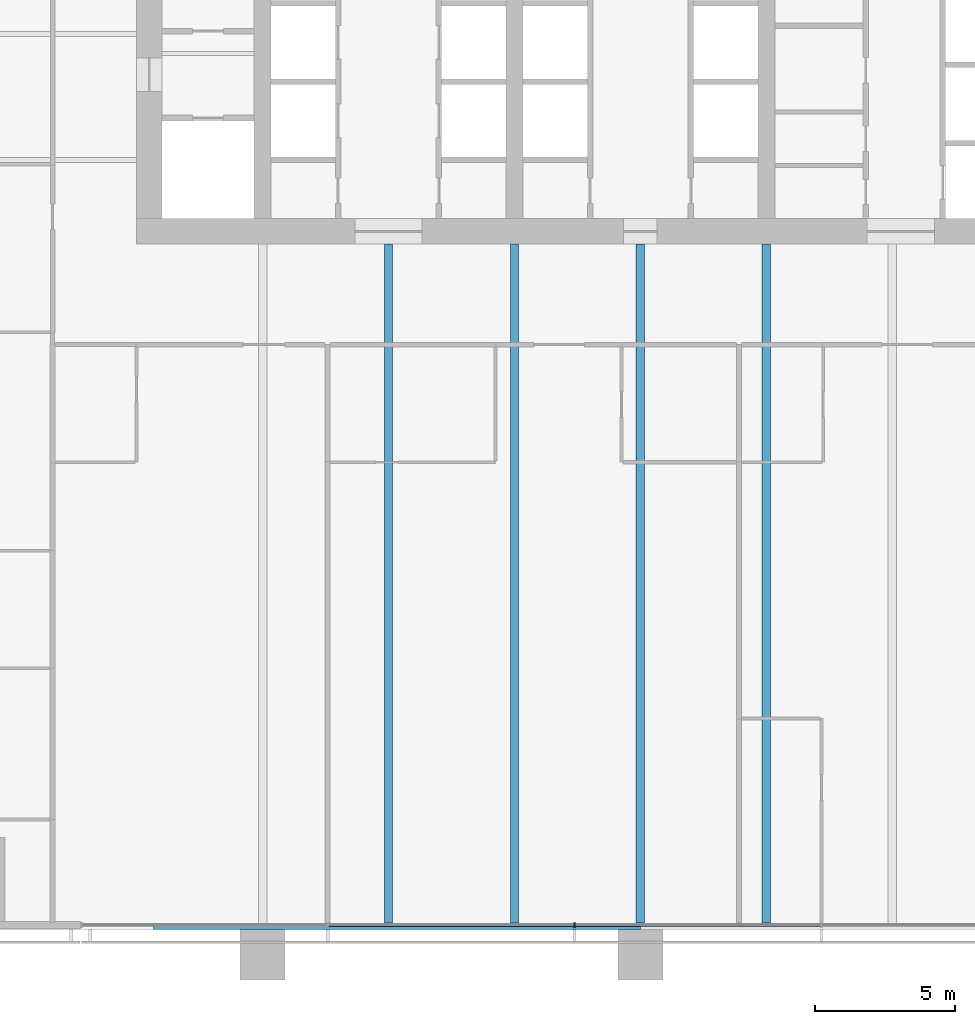
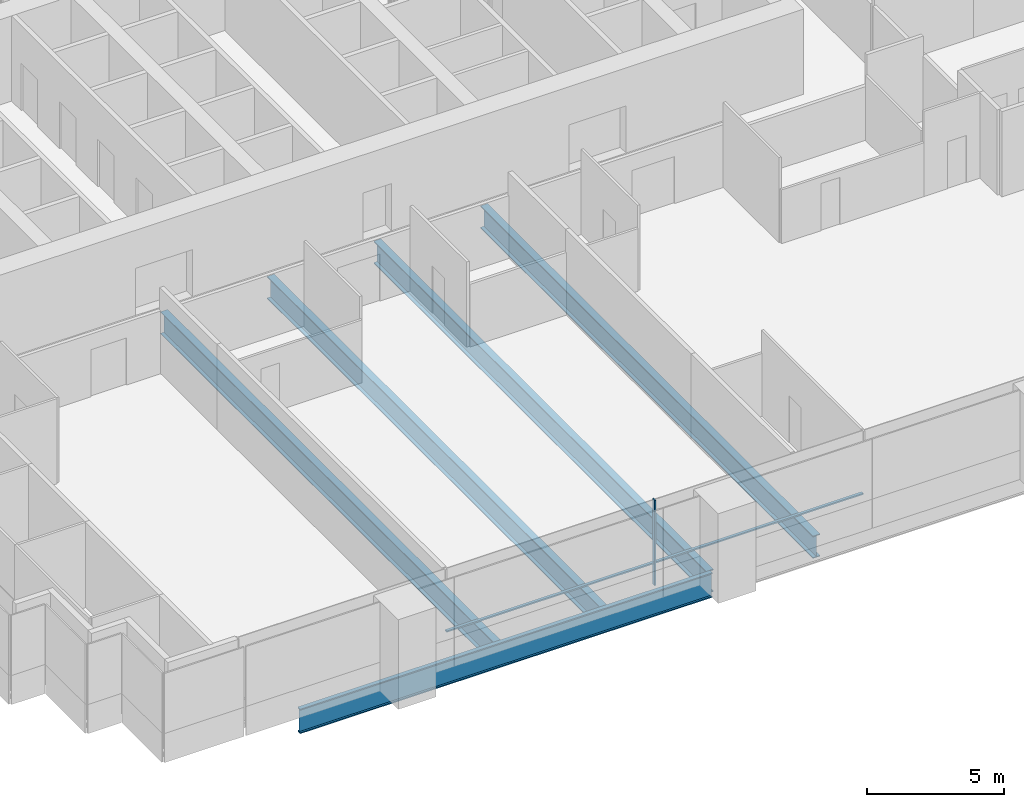
# One storey, part 3 of 19: 5 beams, 3 members, 1 element without a shape of its own.
"""IFC4 building model written with IfcOpenShell, lengths in metres."""

from ifc_helpers import new_model, si_unit, direction, frame, origin, origin_2d, place, context, subcontext, project, spatial, rectangle, i_section, extrude, material, material_profile, profile_set, type_object, element, aggregate, save


model = new_model("IFC4")

# Units and contexts
model_context = context("Model", 3, precision=1e-05, world=origin(), true_north=direction((0.0, 1.0)))
body_context = subcontext(model_context, "Body", "Model", "MODEL_VIEW")
ifc_project = project(units=[si_unit("LENGTHUNIT", "METRE"), si_unit("AREAUNIT", "SQUARE_METRE"), si_unit("VOLUMEUNIT", "CUBIC_METRE"), si_unit("PLANEANGLEUNIT", "RADIAN"), si_unit("MASSUNIT", "GRAM", prefix="KILO")], contexts=[model_context])

# Site, building, storey
site_placement = place(None, origin())
site = spatial("IfcSite", under=ifc_project, at=site_placement, CompositionType="ELEMENT")
building_placement = place(site_placement, origin())
building = spatial("IfcBuilding", under=site, at=building_placement, Name="Rattan Terrace Tower", CompositionType="ELEMENT")
storey_placement = place(building_placement, frame((0.0, 0.0, 87.699951171875)))
storey = spatial("IfcBuildingStorey", under=building, at=storey_placement, Name="L19", CompositionType="ELEMENT", Elevation=87.699951171875)

# Curtain wall, members
ifc_material_1 = material(Name="Aluminium and glass", Category="aluminium")
curtain_wall_type = type_object("IfcCurtainWallType", Name="Facade Unitised Curtain Wall", PredefinedType="NOTDEFINED", material=ifc_material_1)
curtain_wall_placement = place(storey_placement, origin())
curtain_wall = element("IfcCurtainWall", 1, at=curtain_wall_placement, inside=storey, type_object=curtain_wall_type, Name="Curtain wall L19-4", PredefinedType="NOTDEFINED")
ifc_material_2 = material(Name="Aluminium", Category="aluminium")
ifc_material_profile_1 = material_profile(ifc_material_2, rectangle(XDim=0.06005859375, YDim=0.159912109375, at=origin_2d()), Name="Aluminium 60x160")
ifc_profile_set_1 = profile_set([ifc_material_profile_1], Name="Aluminium")
member_type_1 = type_object("IfcMemberType", Name="Facade CW Mullion 60x160", PredefinedType="MULLION", material=ifc_profile_set_1)
member_1_placement = place(storey_placement, frame((-2.35400390625, -31.830078125, 0.0), z_axis=(0.0, 0.0, 1.0), x_axis=(1.0, 0.0, 0.0)))
member_1 = element("IfcMember", 2, at=member_1_placement, type_object=member_type_1, Name="Mullion cwl-L19-004.3", PredefinedType="MULLION", context=body_context, shape_type="SweptSolid", body=[
    extrude(rectangle(XDim=0.06005859375, YDim=0.159912109375, at=origin_2d()), origin(), (0.0, 0.0, 1.0), 3.800048828125),
])
ifc_material_3 = material(Name="Aluminium", Category="aluminium")
ifc_material_profile_2 = material_profile(ifc_material_3, rectangle(XDim=0.1201171875, YDim=0.06005859375, at=origin_2d()), Name="Aluminium 120x60")
ifc_profile_set_2 = profile_set([ifc_material_profile_2], Name="Aluminium")
member_type_2 = type_object("IfcMemberType", Name="Facade CW Transom 120x60", PredefinedType="USERDEFINED", material=ifc_profile_set_2)
member_2_placement = place(storey_placement, frame((-11.14697265625, -31.830078125, 1.0), z_axis=(1.0, 0.0, 0.0), x_axis=(0.0, 1.0, 0.0)))
member_2 = element("IfcMember", 3, at=member_2_placement, type_object=member_type_2, Name="Transom cwl-L19-004.2", ObjectType="TRANSOM", PredefinedType="USERDEFINED", context=body_context, shape_type="SweptSolid", body=[
    extrude(rectangle(XDim=0.1201171875, YDim=0.06005859375, at=origin_2d()), origin(), (0.0, 0.0, 1.0), 8.762939453125),
])
member_3_placement = place(storey_placement, frame((-2.323974609375, -31.830078125, 1.0), z_axis=(1.0, 0.0, 0.0), x_axis=(0.0, 1.0, 0.0)))
member_3 = element("IfcMember", 4, at=member_3_placement, type_object=member_type_2, Name="Transom cwl-L19-004.3", ObjectType="TRANSOM", PredefinedType="USERDEFINED", context=body_context, shape_type="SweptSolid", body=[
    extrude(rectangle(XDim=0.1201171875, YDim=0.06005859375, at=origin_2d()), origin(), (0.0, 0.0, 1.0), 8.762939453125),
])
aggregate(curtain_wall, [member_1, member_2, member_3])

# Beams
ifc_material_4 = material(Name="Steel S460", Category="steel")
ifc_material_profile_3 = material_profile(ifc_material_4, i_section(OverallWidth=0.179931640625, OverallDepth=1.10009765625, WebThickness=0.01611328125, FlangeThickness=0.050048828125, at=origin_2d()), Name="PG 1100x180-16-50")
ifc_profile_set_3 = profile_set([ifc_material_profile_3], Name="Steel S460")
beam_type_1 = type_object("IfcBeamType", Name="Frame edge girder PG 1100x180-16-50", PredefinedType="SPANDREL", material=ifc_profile_set_3)
beam_placement = place(storey_placement, frame((-17.39990234375, -31.909912109375, -0.75), z_axis=(1.0, 0.0, 0.0), x_axis=(0.0, 1.0, 0.0)))
element("IfcBeam", 5, at=beam_placement, inside=storey, type_object=beam_type_1, Name="gdr-L19-001", PredefinedType="SPANDREL", context=body_context, shape_type="SweptSolid", body=[
    extrude(i_section(OverallWidth=0.179931640625, OverallDepth=1.10009765625, WebThickness=0.01611328125, FlangeThickness=0.050048828125, at=origin_2d()), origin(), (0.0, 0.0, 1.0), 17.39990234375),
])
ifc_material_5 = material(Name="Steel S460", Category="steel")
ifc_material_profile_4 = material_profile(ifc_material_5, i_section(OverallWidth=0.300048828125, OverallDepth=1.0, WebThickness=0.013916015625, FlangeThickness=0.0400390625, at=origin_2d()), Name="PG 1000x300-14-40")
ifc_profile_set_4 = profile_set([ifc_material_profile_4], Name="Steel S460")
beam_type_2 = type_object("IfcBeamType", Name="Frame floor beam PG 1000x300-14-40", PredefinedType="JOIST", material=ifc_profile_set_4)
for number, where, z_axis, x_axis, name in (
    (6, (-9.0, -31.820068359375, -0.699951171875), (0.0, 1.0, 0.0), (-1.0, 0.0, 0.0), "bm-L19-004"),
    (7, (-4.5, -31.820068359375, -0.699951171875), (0.0, 1.0, 0.0), (-1.0, 0.0, 0.0), "bm-L19-005"),
    (8, (0.0, -31.820068359375, -0.699951171875), (0.0, 1.0, 0.0), (-1.0, 0.0, 0.0), "bm-L19-006"),
    (9, (4.5, -31.820068359375, -0.699951171875), (0.0, 1.0, 0.0), (-1.0, 0.0, 0.0), "bm-L19-007"),
):
    element("IfcBeam", number, at=place(storey_placement, frame(where, z_axis=z_axis, x_axis=x_axis)), inside=storey, type_object=beam_type_2, Name=name, PredefinedType="JOIST", context=body_context, shape_type="SweptSolid", body=[
        extrude(i_section(OverallWidth=0.300048828125, OverallDepth=1.0, WebThickness=0.013916015625, FlangeThickness=0.0400390625, at=origin_2d()), origin(), (0.0, 0.0, 1.0), 24.320068359375),
    ])

save(model, "model.ifc")
